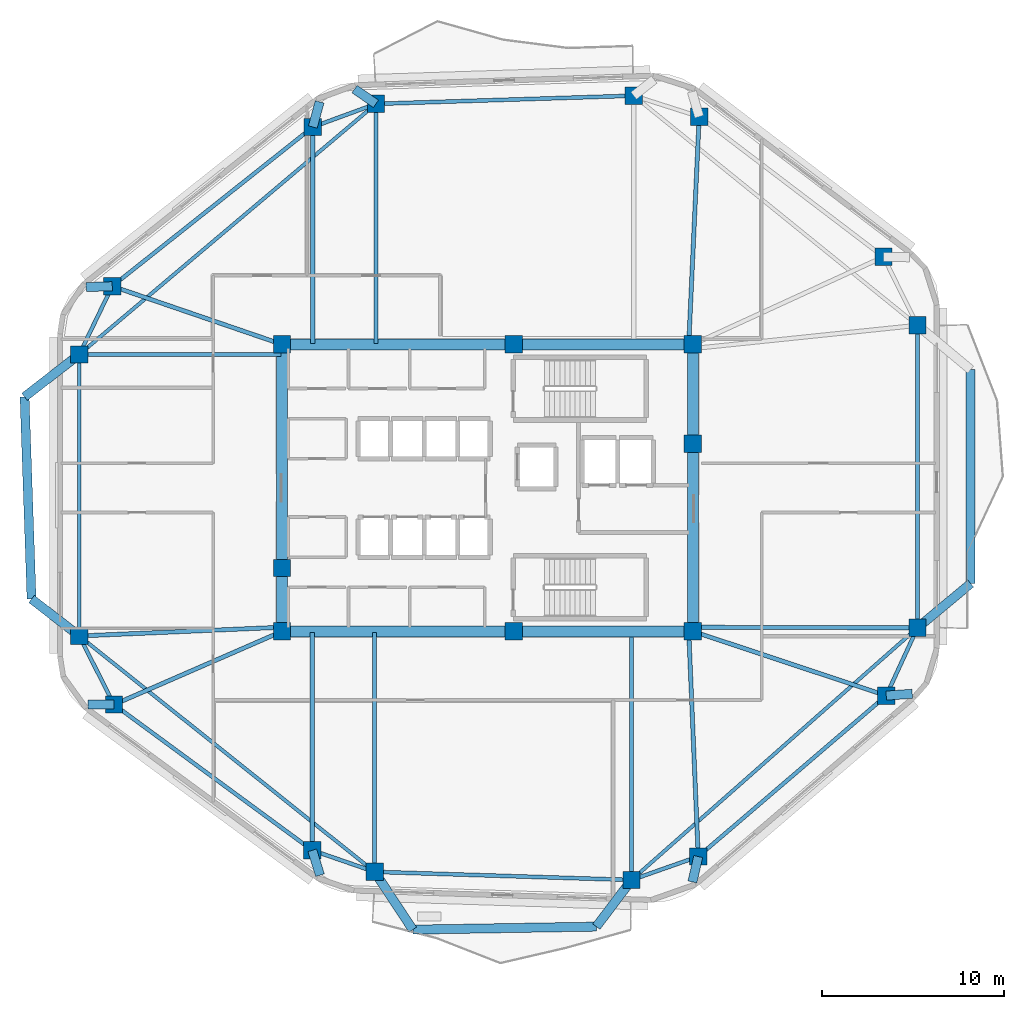
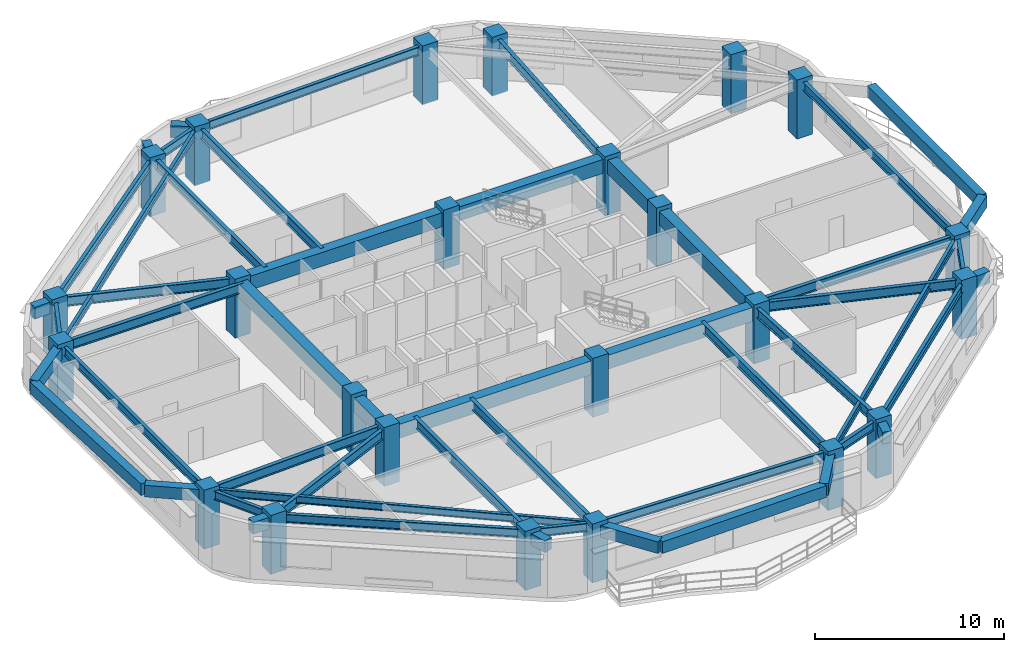
# One storey, part 1 of 8: 52 beams, 24 columns.
"""IFC4 building model written with IfcOpenShell, lengths in metres."""

from ifc_helpers import new_model, si_unit, direction, frame, origin, origin_2d, place, context, subcontext, project, spatial, rectangle, i_section, extrude, material, material_profile, profile_set, type_object, element, save


model = new_model("IFC4")

# Units and contexts
model_context = context("Model", 3, precision=1e-05, world=origin(), true_north=direction((0.0, 1.0)))
body_context = subcontext(model_context, "Body", "Model", "MODEL_VIEW")
ifc_project = project(units=[si_unit("LENGTHUNIT", "METRE"), si_unit("AREAUNIT", "SQUARE_METRE"), si_unit("VOLUMEUNIT", "CUBIC_METRE"), si_unit("PLANEANGLEUNIT", "RADIAN"), si_unit("MASSUNIT", "GRAM", prefix="KILO")], contexts=[model_context])

# Site, building, storey
site_placement = place(None, origin())
site = spatial("IfcSite", under=ifc_project, at=site_placement, CompositionType="ELEMENT")
building_placement = place(site_placement, origin())
building = spatial("IfcBuilding", under=site, at=building_placement, Name="Zulverin Broadcast Headquarters", CompositionType="ELEMENT")
storey_placement = place(building_placement, frame((0.0, 0.0, 166.800048828125)))
storey = spatial("IfcBuildingStorey", under=building, at=storey_placement, Name="L42", CompositionType="ELEMENT", Elevation=166.800048828125)

# Columns
ifc_material_1 = material(Name="Concrete C50/60", Category="concrete")
ifc_material_profile_1 = material_profile(ifc_material_1, rectangle(XDim=0.949951171875, YDim=0.949951171875, at=origin_2d()), Name="Concrete C50/60", Category="concrete")
ifc_profile_set_1 = profile_set([ifc_material_profile_1], Name="Concrete C50/60")
column_type_1 = type_object("IfcColumnType", Name="COL-RC-950", PredefinedType="COLUMN", material=ifc_profile_set_1)
for number, where, z_axis, x_axis, name in (
    (1, (30.80859375, 4.12744140625, 0.0), (0.0, 0.0, 1.0), (1.0, 0.0, 0.0), "L42 Perimeter Column T01"),
    (2, (44.909912109375, 3.68017578125, 0.0), (0.0, 0.0, 1.0), (1.0, 0.0, 0.0), "L42 Perimeter Column T02"),
    (3, (48.569580078125, 4.967041015625, 0.0), (0.0, 0.0, 1.0), (1.0, 0.0, 0.0), "L42 Perimeter Column T03"),
    (4, (58.886962890625, 13.798095703125, 0.0), (0.0, 0.0, 1.0), (1.0, 0.0, 0.0), "L42 Perimeter Column T04"),
    (5, (60.60009765625, 17.519287109375, 0.0), (0.0, 0.0, 1.0), (1.0, 0.0, 0.0), "L42 Perimeter Column T05"),
    (6, (60.60009765625, 34.12158203125, 0.0), (0.0, 0.0, 1.0), (1.0, 0.0, 0.0), "L42 Perimeter Column T06"),
    (7, (58.738037109375, 37.877685546875, 0.0), (0.0, 0.0, 1.0), (1.0, 0.0, 0.0), "L42 Perimeter Column T07"),
    (8, (48.62158203125, 45.574951171875, 0.0), (0.0, 0.0, 1.0), (1.0, 0.0, 0.0), "L42 Perimeter Column T08"),
    (9, (45.027587890625, 46.7236328125, 0.0), (0.0, 0.0, 1.0), (1.0, 0.0, 0.0), "L42 Perimeter Column T09"),
    (10, (30.882080078125, 46.27490234375, 0.0), (0.0, 0.0, 1.0), (1.0, 0.0, 0.0), "L42 Perimeter Column T10"),
    (11, (27.416259765625, 45.00439453125, 0.0), (0.0, 0.0, 1.0), (1.0, 0.0, 0.0), "L42 Perimeter Column T11"),
    (12, (16.40869140625, 36.26806640625, 0.0), (0.0, 0.0, 1.0), (1.0, 0.0, 0.0), "L42 Perimeter Column T12"),
    (13, (14.60009765625, 32.523193359375, 0.0), (0.0, 0.0, 1.0), (1.0, 0.0, 0.0), "L42 Perimeter Column T13"),
    (14, (14.60009765625, 17.072021484375, 0.0), (0.0, 0.0, 1.0), (1.0, 0.0, 0.0), "L42 Perimeter Column T14"),
    (15, (16.50537109375, 13.306884765625, 0.0), (0.0, 0.0, 1.0), (1.0, 0.0, 0.0), "L42 Perimeter Column T15"),
    (16, (27.38720703125, 5.309814453125, 0.0), (0.0, 0.0, 1.0), (1.0, 0.0, 0.0), "L42 Perimeter Column T16"),
):
    element("IfcColumn", number, at=place(storey_placement, frame(where, z_axis=z_axis, x_axis=x_axis)), inside=storey, type_object=column_type_1, Name=name, PredefinedType="COLUMN", context=body_context, shape_type="SweptSolid", body=[
        extrude(rectangle(XDim=0.949951171875, YDim=0.949951171875, at=origin_2d()), origin(), (0.0, 0.0, 1.0), 3.800048828125),
    ])
ifc_material_profile_2 = material_profile(ifc_material_1, rectangle(XDim=0.949951171875, YDim=0.949951171875, at=origin_2d()), Name="Concrete C50/60", Category="concrete")
ifc_profile_set_2 = profile_set([ifc_material_profile_2], Name="Concrete C50/60")
column_type_2 = type_object("IfcColumnType", Name="PIL-RC-950", PredefinedType="PILASTER", material=ifc_profile_set_2)
for number, where, z_axis, x_axis, name in (
    (17, (25.72509765625, 17.324951171875, 0.0), (0.0, 0.0, 1.0), (1.0, 0.0, 0.0), "L42 Core Pilaster K01"),
    (18, (38.449951171875, 17.324951171875, 0.0), (0.0, 0.0, 1.0), (1.0, 0.0, 0.0), "L42 Core Pilaster K02"),
    (19, (48.27490234375, 17.324951171875, 0.0), (0.0, 0.0, 1.0), (1.0, 0.0, 0.0), "L42 Core Pilaster K03"),
    (20, (48.27490234375, 27.6201171875, 0.0), (0.0, 0.0, 1.0), (1.0, 0.0, 0.0), "L42 Core Pilaster K04"),
    (21, (48.27490234375, 33.074951171875, 0.0), (0.0, 0.0, 1.0), (1.0, 0.0, 0.0), "L42 Core Pilaster K05"),
    (22, (38.449951171875, 33.074951171875, 0.0), (0.0, 0.0, 1.0), (1.0, 0.0, 0.0), "L42 Core Pilaster K06"),
    (23, (25.72509765625, 33.074951171875, 0.0), (0.0, 0.0, 1.0), (1.0, 0.0, 0.0), "L42 Core Pilaster K07"),
    (24, (25.72509765625, 20.800048828125, 0.0), (0.0, 0.0, 1.0), (1.0, 0.0, 0.0), "L42 Core Pilaster K08"),
):
    element("IfcColumn", number, at=place(storey_placement, frame(where, z_axis=z_axis, x_axis=x_axis)), inside=storey, type_object=column_type_2, Name=name, PredefinedType="PILASTER", context=body_context, shape_type="SweptSolid", body=[
        extrude(rectangle(XDim=0.949951171875, YDim=0.949951171875, at=origin_2d()), origin(), (0.0, 0.0, 1.0), 3.800048828125),
    ])

# Beams
ifc_material_2 = material(Name="Concrete C60/75", Category="concrete")
ifc_material_profile_3 = material_profile(ifc_material_2, rectangle(XDim=0.60009765625, YDim=0.89990234375, at=origin_2d()), Name="Concrete C60/75", Category="concrete")
ifc_profile_set_3 = profile_set([ifc_material_profile_3], Name="Concrete C60/75")
beam_type_1 = type_object("IfcBeamType", Name="BM-CB-600x900", PredefinedType="LINTEL", material=ifc_profile_set_3)
beam_1_placement = place(storey_placement, frame((25.72509765625, 17.324951171875, 3.08984375), z_axis=(1.0, 0.0, 0.0), x_axis=(0.0, 1.0, 0.0)))
element("IfcBeam", 25, at=beam_1_placement, inside=storey, type_object=beam_type_1, Name="L42 Core Coupling Girder K01-K02", PredefinedType="LINTEL", context=body_context, shape_type="SweptSolid", body=[
    extrude(rectangle(XDim=0.60009765625, YDim=0.89990234375, at=origin_2d()), origin(), (0.0, 0.0, 1.0), 12.724853515625),
])
beam_2_placement = place(storey_placement, frame((38.449951171875, 17.324951171875, 3.08984375), z_axis=(1.0, 0.0, 0.0), x_axis=(0.0, 1.0, 0.0)))
element("IfcBeam", 26, at=beam_2_placement, inside=storey, type_object=beam_type_1, Name="L42 Core Coupling Girder K02-K03", PredefinedType="LINTEL", context=body_context, shape_type="SweptSolid", body=[
    extrude(rectangle(XDim=0.60009765625, YDim=0.89990234375, at=origin_2d()), origin(), (0.0, 0.0, 1.0), 9.824951171875),
])
beam_3_placement = place(storey_placement, frame((48.27490234375, 17.324951171875, 3.08984375), z_axis=(0.0, 1.0, 0.0), x_axis=(-1.0, 0.0, 0.0)))
element("IfcBeam", 27, at=beam_3_placement, inside=storey, type_object=beam_type_1, Name="L42 Core Coupling Girder K03-K04", PredefinedType="LINTEL", context=body_context, shape_type="SweptSolid", body=[
    extrude(rectangle(XDim=0.60009765625, YDim=0.89990234375, at=origin_2d()), origin(), (0.0, 0.0, 1.0), 10.295166015625),
])
beam_4_placement = place(storey_placement, frame((48.27490234375, 27.6201171875, 3.08984375), z_axis=(0.0, 1.0, 0.0), x_axis=(-1.0, 0.0, 0.0)))
element("IfcBeam", 28, at=beam_4_placement, inside=storey, type_object=beam_type_1, Name="L42 Core Coupling Girder K04-K05", PredefinedType="LINTEL", context=body_context, shape_type="SweptSolid", body=[
    extrude(rectangle(XDim=0.60009765625, YDim=0.89990234375, at=origin_2d()), origin(), (0.0, 0.0, 1.0), 5.454833984375),
])
beam_5_placement = place(storey_placement, frame((48.27490234375, 33.074951171875, 3.08984375), z_axis=(-1.0, 0.0, 0.0), x_axis=(0.0, -1.0, 0.0)))
element("IfcBeam", 29, at=beam_5_placement, inside=storey, type_object=beam_type_1, Name="L42 Core Coupling Girder K05-K06", PredefinedType="LINTEL", context=body_context, shape_type="SweptSolid", body=[
    extrude(rectangle(XDim=0.60009765625, YDim=0.89990234375, at=origin_2d()), origin(), (0.0, 0.0, 1.0), 9.824951171875),
])
beam_6_placement = place(storey_placement, frame((38.449951171875, 33.074951171875, 3.08984375), z_axis=(-1.0, 0.0, 0.0), x_axis=(0.0, -1.0, 0.0)))
element("IfcBeam", 30, at=beam_6_placement, inside=storey, type_object=beam_type_1, Name="L42 Core Coupling Girder K06-K07", PredefinedType="LINTEL", context=body_context, shape_type="SweptSolid", body=[
    extrude(rectangle(XDim=0.60009765625, YDim=0.89990234375, at=origin_2d()), origin(), (0.0, 0.0, 1.0), 12.724853515625),
])
beam_7_placement = place(storey_placement, frame((25.72509765625, 33.074951171875, 3.08984375), z_axis=(0.0, -1.0, 0.0), x_axis=(1.0, 0.0, 0.0)))
element("IfcBeam", 31, at=beam_7_placement, inside=storey, type_object=beam_type_1, Name="L42 Core Coupling Girder K07-K08", PredefinedType="LINTEL", context=body_context, shape_type="SweptSolid", body=[
    extrude(rectangle(XDim=0.60009765625, YDim=0.89990234375, at=origin_2d()), origin(), (0.0, 0.0, 1.0), 12.27490234375),
])
beam_8_placement = place(storey_placement, frame((25.72509765625, 20.800048828125, 3.08984375), z_axis=(0.0, -1.0, 0.0), x_axis=(1.0, 0.0, 0.0)))
element("IfcBeam", 32, at=beam_8_placement, inside=storey, type_object=beam_type_1, Name="L42 Core Coupling Girder K08-K01", PredefinedType="LINTEL", context=body_context, shape_type="SweptSolid", body=[
    extrude(rectangle(XDim=0.60009765625, YDim=0.89990234375, at=origin_2d()), origin(), (0.0, 0.0, 1.0), 3.47509765625),
])
ifc_material_3 = material(Name="Concrete C40/50", Category="concrete")
ifc_material_profile_4 = material_profile(ifc_material_3, rectangle(XDim=0.5, YDim=0.75, at=origin_2d()), Name="Concrete C40/50", Category="concrete")
ifc_profile_set_4 = profile_set([ifc_material_profile_4], Name="Concrete C40/50")
beam_type_2 = type_object("IfcBeamType", Name="BM-RC-500x750", PredefinedType="BEAM", material=ifc_profile_set_4)
for number, where, z_axis, x_axis, name in (
    (33, (48.569580078125, 4.967041015625, 3.1650390625), (-0.224497908308, -0.974474570815, 0.0), (0.974474570815, -0.224497908308, 0.0), "L43 Plate Overhang Back-Spanned Beam OVR-03"),
    (34, (58.886962890625, 13.798095703125, 3.1650390625), (0.997450894981, 0.071356233801, 0.0), (-0.071356233801, 0.997450894981, 0.0), "L43 Plate Overhang Back-Spanned Beam OVR-04"),
):
    element("IfcBeam", number, at=place(storey_placement, frame(where, z_axis=z_axis, x_axis=x_axis)), inside=storey, type_object=beam_type_2, Name=name, PredefinedType="BEAM", context=body_context, shape_type="SweptSolid", body=[
        extrude(rectangle(XDim=0.5, YDim=0.75, at=origin_2d()), origin(), (0.0, 0.0, 1.0), 1.43017578125),
    ])
beam_9_placement = place(storey_placement, frame((30.882080078125, 46.27490234375, 3.1650390625), z_axis=(-0.822634506153, 0.568570549085, 0.0), x_axis=(-0.568570549085, -0.822634506153, 0.0)))
element("IfcBeam", 35, at=beam_9_placement, inside=storey, type_object=beam_type_2, Name="L43 Plate Overhang Back-Spanned Beam OVR-10", PredefinedType="BEAM", context=body_context, shape_type="SweptSolid", body=[
    extrude(rectangle(XDim=0.5, YDim=0.75, at=origin_2d()), origin(), (0.0, 0.0, 1.0), 1.429931640625),
])
beam_10_placement = place(storey_placement, frame((27.416259765625, 45.00439453125, 3.1650390625), z_axis=(0.260328526912, 0.965520097189, 0.0), x_axis=(-0.965520097189, 0.260328526912, 0.0)))
element("IfcBeam", 36, at=beam_10_placement, inside=storey, type_object=beam_type_2, Name="L43 Plate Overhang Back-Spanned Beam OVR-11", PredefinedType="BEAM", context=body_context, shape_type="SweptSolid", body=[
    extrude(rectangle(XDim=0.5, YDim=0.75, at=origin_2d()), origin(), (0.0, 0.0, 1.0), 1.43017578125),
])
for number, where, z_axis, x_axis, name in (
    (37, (16.40869140625, 36.26806640625, 3.1650390625), (-0.999411057508, -0.034315275463, 0.0), (0.034315275463, -0.999411057508, 0.0), "L43 Plate Overhang Back-Spanned Beam OVR-12"),
    (38, (16.50537109375, 13.306884765625, 3.1650390625), (-0.999996268726, -0.002731763753, 0.0), (0.002731763753, -0.999996268726, 0.0), "L43 Plate Overhang Back-Spanned Beam OVR-15"),
):
    element("IfcBeam", number, at=place(storey_placement, frame(where, z_axis=z_axis, x_axis=x_axis)), inside=storey, type_object=beam_type_2, Name=name, PredefinedType="BEAM", context=body_context, shape_type="SweptSolid", body=[
        extrude(rectangle(XDim=0.5, YDim=0.75, at=origin_2d()), origin(), (0.0, 0.0, 1.0), 1.429931640625),
    ])
beam_11_placement = place(storey_placement, frame((27.38720703125, 5.309814453125, 3.1650390625), z_axis=(0.296184429368, -0.955130767905, 0.0), x_axis=(0.955130767905, 0.296184429368, 0.0)))
element("IfcBeam", 39, at=beam_11_placement, inside=storey, type_object=beam_type_2, Name="L43 Plate Overhang Back-Spanned Beam OVR-16", PredefinedType="BEAM", context=body_context, shape_type="SweptSolid", body=[
    extrude(rectangle(XDim=0.5, YDim=0.75, at=origin_2d()), origin(), (0.0, 0.0, 1.0), 1.43017578125),
])
beam_12_placement = place(storey_placement, frame((60.60009765625, 17.519287109375, 3.1650390625), z_axis=(0.768400300007, 0.639969514078, 0.0), x_axis=(-0.639969514078, 0.768400300007, 0.0)))
element("IfcBeam", 40, at=beam_12_placement, inside=storey, type_object=beam_type_2, Name="L43 Balcony Column-Framed Cantilever BAL_E-1", PredefinedType="BEAM", context=body_context, shape_type="SweptSolid", body=[
    extrude(rectangle(XDim=0.5, YDim=0.75, at=origin_2d()), origin(), (0.0, 0.0, 1.0), 3.800048828125),
])
beam_13_placement = place(storey_placement, frame((63.52001953125, 19.951171875, 3.1650390625), z_axis=(0.0, 1.0, 0.0), x_axis=(-1.0, 0.0, 0.0)))
element("IfcBeam", 41, at=beam_13_placement, inside=storey, type_object=beam_type_2, Name="L43 Balcony Outer Edge Trimmer Beam BAL_E", PredefinedType="BEAM", context=body_context, shape_type="SweptSolid", body=[
    extrude(rectangle(XDim=0.5, YDim=0.75, at=origin_2d()), origin(), (0.0, 0.0, 1.0), 11.738525390625),
])
beam_14_placement = place(storey_placement, frame((30.80859375, 4.12744140625, 3.1650390625), z_axis=(0.550750010235, -0.834670249995, 0.0), x_axis=(0.834670249995, 0.550750010235, 0.0)))
element("IfcBeam", 42, at=beam_14_placement, inside=storey, type_object=beam_type_2, Name="L43 Balcony Column-Framed Cantilever BAL_S-1", PredefinedType="BEAM", context=body_context, shape_type="SweptSolid", body=[
    extrude(rectangle(XDim=0.5, YDim=0.75, at=origin_2d()), origin(), (0.0, 0.0, 1.0), 3.7998046875),
])
beam_15_placement = place(storey_placement, frame((44.909912109375, 3.68017578125, 3.1650390625), z_axis=(-0.602554193744, -0.798077968372, 0.0), x_axis=(0.798077968372, -0.602554193744, 0.0)))
element("IfcBeam", 43, at=beam_15_placement, inside=storey, type_object=beam_type_2, Name="L43 Balcony Column-Framed Cantilever BAL_S-2", PredefinedType="BEAM", context=body_context, shape_type="SweptSolid", body=[
    extrude(rectangle(XDim=0.5, YDim=0.75, at=origin_2d()), origin(), (0.0, 0.0, 1.0), 3.207763671875),
])
beam_16_placement = place(storey_placement, frame((32.9013671875, 0.955810546875, 3.1650390625), z_axis=(0.999867063394, 0.016305077142, 0.0), x_axis=(-0.016305077142, 0.999867063394, 0.0)))
element("IfcBeam", 44, at=beam_16_placement, inside=storey, type_object=beam_type_2, Name="L43 Balcony Outer Edge Trimmer Beam BAL_S", PredefinedType="BEAM", context=body_context, shape_type="SweptSolid", body=[
    extrude(rectangle(XDim=0.5, YDim=0.75, at=origin_2d()), origin(), (0.0, 0.0, 1.0), 10.076904296875),
])
beam_17_placement = place(storey_placement, frame((14.60009765625, 32.523193359375, 3.1650390625), z_axis=(-0.790637422513, -0.612284628356, 0.0), x_axis=(0.612284628356, -0.790637422513, 0.0)))
element("IfcBeam", 45, at=beam_17_placement, inside=storey, type_object=beam_type_2, Name="L43 Balcony Column-Framed Cantilever BAL_W-1", PredefinedType="BEAM", context=body_context, shape_type="SweptSolid", body=[
    extrude(rectangle(XDim=0.5, YDim=0.75, at=origin_2d()), origin(), (0.0, 0.0, 1.0), 3.800048828125),
])
beam_18_placement = place(storey_placement, frame((14.60009765625, 17.072021484375, 3.1650390625), z_axis=(-0.790675387677, 0.612235601155, 0.0), x_axis=(-0.612235601155, -0.790675387677, 0.0)))
element("IfcBeam", 46, at=beam_18_placement, inside=storey, type_object=beam_type_2, Name="L43 Balcony Column-Framed Cantilever BAL_W-2", PredefinedType="BEAM", context=body_context, shape_type="SweptSolid", body=[
    extrude(rectangle(XDim=0.5, YDim=0.75, at=origin_2d()), origin(), (0.0, 0.0, 1.0), 3.313720703125),
])
beam_19_placement = place(storey_placement, frame((11.595703125, 30.196533203125, 3.1650390625), z_axis=(0.034612235655, -0.999400817061, 0.0), x_axis=(0.999400817061, 0.034612235655, 0.0)))
element("IfcBeam", 47, at=beam_19_placement, inside=storey, type_object=beam_type_2, Name="L43 Balcony Outer Edge Trimmer Beam BAL_W", PredefinedType="BEAM", context=body_context, shape_type="SweptSolid", body=[
    extrude(rectangle(XDim=0.5, YDim=0.75, at=origin_2d()), origin(), (0.0, 0.0, 1.0), 11.102294921875),
])
ifc_material_4 = material(Name="Structural steel S355JR", Category="steel")
ifc_material_profile_5 = material_profile(ifc_material_4, i_section(OverallWidth=0.19287109375, OverallDepth=0.46728515625, WebThickness=0.011474609375, FlangeThickness=0.01953125, at=origin_2d()), Name="Structural steel S355JR", Category="steel")
ifc_profile_set_5 = profile_set([ifc_material_profile_5], Name="Structural steel S355JR")
beam_type_3 = type_object("IfcBeamType", Name="BM-UB-457", PredefinedType="JOIST", material=ifc_profile_set_5)
beam_20_placement = place(storey_placement, frame((44.909912109375, 3.68017578125, 3.306396484375), z_axis=(0.74996043981, 0.661482682102, 0.0), x_axis=(-0.661482682102, 0.74996043981, 0.0)))
element("IfcBeam", 48, at=beam_20_placement, inside=storey, type_object=beam_type_3, Name="L42 Chordal Floor Joist J-01", PredefinedType="JOIST", context=body_context, shape_type="SweptSolid", body=[
    extrude(i_section(OverallWidth=0.19287109375, OverallDepth=0.46728515625, WebThickness=0.011474609375, FlangeThickness=0.01953125, at=origin_2d()), origin(), (0.0, 0.0, 1.0), 20.92138671875),
])
beam_21_placement = place(storey_placement, frame((30.882080078125, 46.27490234375, 3.306396484375), z_axis=(-0.763972566446, -0.645248725468, 0.0), x_axis=(0.645248725468, -0.763972566446, 0.0)))
element("IfcBeam", 49, at=beam_21_placement, inside=storey, type_object=beam_type_3, Name="L42 Chordal Floor Joist J-03", PredefinedType="JOIST", context=body_context, shape_type="SweptSolid", body=[
    extrude(i_section(OverallWidth=0.19287109375, OverallDepth=0.46728515625, WebThickness=0.011474609375, FlangeThickness=0.01953125, at=origin_2d()), origin(), (0.0, 0.0, 1.0), 21.312255859375),
])
beam_22_placement = place(storey_placement, frame((14.60009765625, 17.072021484375, 3.306396484375), z_axis=(0.781390996609, -0.624041753746, 0.0), x_axis=(0.624041753746, 0.781390996609, 0.0)))
element("IfcBeam", 50, at=beam_22_placement, inside=storey, type_object=beam_type_3, Name="L42 Chordal Floor Joist J-04", PredefinedType="JOIST", context=body_context, shape_type="SweptSolid", body=[
    extrude(i_section(OverallWidth=0.19287109375, OverallDepth=0.46728515625, WebThickness=0.011474609375, FlangeThickness=0.01953125, at=origin_2d()), origin(), (0.0, 0.0, 1.0), 20.7431640625),
])
ifc_material_profile_6 = material_profile(ifc_material_4, i_section(OverallWidth=0.2119140625, OverallDepth=0.54443359375, WebThickness=0.0126953125, FlangeThickness=0.021240234375, at=origin_2d()), Name="Structural steel S355JR", Category="steel")
ifc_profile_set_6 = profile_set([ifc_material_profile_6], Name="Structural steel S355JR")
beam_type_4 = type_object("IfcBeamType", Name="BM-UB-533", PredefinedType="SPANDREL", material=ifc_profile_set_6)
beam_23_placement = place(storey_placement, frame((30.80859375, 4.12744140625, 3.267578125), z_axis=(0.999497363437, -0.031702058031, 0.0), x_axis=(0.031702058031, 0.999497363437, 0.0)))
element("IfcBeam", 51, at=beam_23_placement, inside=storey, type_object=beam_type_4, Name="L42 Perimeter Spandrel Beam SP-01", PredefinedType="SPANDREL", context=body_context, shape_type="SweptSolid", body=[
    extrude(i_section(OverallWidth=0.2119140625, OverallDepth=0.54443359375, WebThickness=0.0126953125, FlangeThickness=0.021240234375, at=origin_2d()), origin(), (0.0, 0.0, 1.0), 14.1083984375),
])
beam_24_placement = place(storey_placement, frame((44.909912109375, 3.68017578125, 3.267578125), z_axis=(0.943376593622, 0.331723684121, 0.0), x_axis=(-0.331723684121, 0.943376593622, 0.0)))
element("IfcBeam", 52, at=beam_24_placement, inside=storey, type_object=beam_type_4, Name="L42 Perimeter Spandrel Beam SP-02", PredefinedType="SPANDREL", context=body_context, shape_type="SweptSolid", body=[
    extrude(i_section(OverallWidth=0.2119140625, OverallDepth=0.54443359375, WebThickness=0.0126953125, FlangeThickness=0.021240234375, at=origin_2d()), origin(), (0.0, 0.0, 1.0), 3.87939453125),
])
beam_25_placement = place(storey_placement, frame((48.569580078125, 4.967041015625, 3.267578125), z_axis=(0.759708170965, 0.650264173217, 0.0), x_axis=(-0.650264173217, 0.759708170965, 0.0)))
element("IfcBeam", 53, at=beam_25_placement, inside=storey, type_object=beam_type_4, Name="L42 Perimeter Spandrel Beam SP-03", PredefinedType="SPANDREL", context=body_context, shape_type="SweptSolid", body=[
    extrude(i_section(OverallWidth=0.2119140625, OverallDepth=0.54443359375, WebThickness=0.0126953125, FlangeThickness=0.021240234375, at=origin_2d()), origin(), (0.0, 0.0, 1.0), 13.580810546875),
])
beam_26_placement = place(storey_placement, frame((58.886962890625, 13.798095703125, 3.267578125), z_axis=(0.418184975358, 0.90836189175, 0.0), x_axis=(-0.90836189175, 0.418184975358, 0.0)))
element("IfcBeam", 54, at=beam_26_placement, inside=storey, type_object=beam_type_4, Name="L42 Perimeter Spandrel Beam SP-04", PredefinedType="SPANDREL", context=body_context, shape_type="SweptSolid", body=[
    extrude(i_section(OverallWidth=0.2119140625, OverallDepth=0.54443359375, WebThickness=0.0126953125, FlangeThickness=0.021240234375, at=origin_2d()), origin(), (0.0, 0.0, 1.0), 4.0966796875),
])
beam_27_placement = place(storey_placement, frame((60.60009765625, 17.519287109375, 3.267578125), z_axis=(0.0, 1.0, 0.0), x_axis=(-1.0, 0.0, 0.0)))
element("IfcBeam", 55, at=beam_27_placement, inside=storey, type_object=beam_type_4, Name="L42 Perimeter Spandrel Beam SP-05", PredefinedType="SPANDREL", context=body_context, shape_type="SweptSolid", body=[
    extrude(i_section(OverallWidth=0.2119140625, OverallDepth=0.54443359375, WebThickness=0.0126953125, FlangeThickness=0.021240234375, at=origin_2d()), origin(), (0.0, 0.0, 1.0), 16.602294921875),
])
beam_28_placement = place(storey_placement, frame((45.027587890625, 46.7236328125, 3.267578125), z_axis=(-0.999497221833, -0.031706522156, 0.0), x_axis=(0.031706522156, -0.999497221833, 0.0)))
element("IfcBeam", 56, at=beam_28_placement, inside=storey, type_object=beam_type_4, Name="L42 Perimeter Spandrel Beam SP-09", PredefinedType="SPANDREL", context=body_context, shape_type="SweptSolid", body=[
    extrude(i_section(OverallWidth=0.2119140625, OverallDepth=0.54443359375, WebThickness=0.0126953125, FlangeThickness=0.021240234375, at=origin_2d()), origin(), (0.0, 0.0, 1.0), 14.152587890625),
])
beam_29_placement = place(storey_placement, frame((30.882080078125, 46.27490234375, 3.267578125), z_axis=(-0.938901965426, -0.344184687805, 0.0), x_axis=(0.344184687805, -0.938901965426, 0.0)))
element("IfcBeam", 57, at=beam_29_placement, inside=storey, type_object=beam_type_4, Name="L42 Perimeter Spandrel Beam SP-10", PredefinedType="SPANDREL", context=body_context, shape_type="SweptSolid", body=[
    extrude(i_section(OverallWidth=0.2119140625, OverallDepth=0.54443359375, WebThickness=0.0126953125, FlangeThickness=0.021240234375, at=origin_2d()), origin(), (0.0, 0.0, 1.0), 3.69140625),
])
beam_30_placement = place(storey_placement, frame((27.416259765625, 45.00439453125, 3.267578125), z_axis=(-0.783283263401, -0.621664965457, 0.0), x_axis=(0.621664965457, -0.783283263401, 0.0)))
element("IfcBeam", 58, at=beam_30_placement, inside=storey, type_object=beam_type_4, Name="L42 Perimeter Spandrel Beam SP-11", PredefinedType="SPANDREL", context=body_context, shape_type="SweptSolid", body=[
    extrude(i_section(OverallWidth=0.2119140625, OverallDepth=0.54443359375, WebThickness=0.0126953125, FlangeThickness=0.021240234375, at=origin_2d()), origin(), (0.0, 0.0, 1.0), 14.05322265625),
])
beam_31_placement = place(storey_placement, frame((16.40869140625, 36.26806640625, 3.267578125), z_axis=(-0.434890248034, -0.900483465792, 0.0), x_axis=(0.900483465792, -0.434890248034, 0.0)))
element("IfcBeam", 59, at=beam_31_placement, inside=storey, type_object=beam_type_4, Name="L42 Perimeter Spandrel Beam SP-12", PredefinedType="SPANDREL", context=body_context, shape_type="SweptSolid", body=[
    extrude(i_section(OverallWidth=0.2119140625, OverallDepth=0.54443359375, WebThickness=0.0126953125, FlangeThickness=0.021240234375, at=origin_2d()), origin(), (0.0, 0.0, 1.0), 4.15869140625),
])
beam_32_placement = place(storey_placement, frame((14.60009765625, 32.523193359375, 3.267578125), z_axis=(0.0, -1.0, 0.0), x_axis=(1.0, 0.0, 0.0)))
element("IfcBeam", 60, at=beam_32_placement, inside=storey, type_object=beam_type_4, Name="L42 Perimeter Spandrel Beam SP-13", PredefinedType="SPANDREL", context=body_context, shape_type="SweptSolid", body=[
    extrude(i_section(OverallWidth=0.2119140625, OverallDepth=0.54443359375, WebThickness=0.0126953125, FlangeThickness=0.021240234375, at=origin_2d()), origin(), (0.0, 0.0, 1.0), 15.451171875),
])
beam_33_placement = place(storey_placement, frame((14.60009765625, 17.072021484375, 3.267578125), z_axis=(0.451512947895, -0.892264567201, 0.0), x_axis=(0.892264567201, 0.451512947895, 0.0)))
element("IfcBeam", 61, at=beam_33_placement, inside=storey, type_object=beam_type_4, Name="L42 Perimeter Spandrel Beam SP-14", PredefinedType="SPANDREL", context=body_context, shape_type="SweptSolid", body=[
    extrude(i_section(OverallWidth=0.2119140625, OverallDepth=0.54443359375, WebThickness=0.0126953125, FlangeThickness=0.021240234375, at=origin_2d()), origin(), (0.0, 0.0, 1.0), 4.2197265625),
])
beam_34_placement = place(storey_placement, frame((16.50537109375, 13.306884765625, 3.267578125), z_axis=(0.805802234061, -0.592184734338, 0.0), x_axis=(0.592184734338, 0.805802234061, 0.0)))
element("IfcBeam", 62, at=beam_34_placement, inside=storey, type_object=beam_type_4, Name="L42 Perimeter Spandrel Beam SP-15", PredefinedType="SPANDREL", context=body_context, shape_type="SweptSolid", body=[
    extrude(i_section(OverallWidth=0.2119140625, OverallDepth=0.54443359375, WebThickness=0.0126953125, FlangeThickness=0.021240234375, at=origin_2d()), origin(), (0.0, 0.0, 1.0), 13.50439453125),
])
beam_35_placement = place(storey_placement, frame((27.38720703125, 5.309814453125, 3.267578125), z_axis=(0.945152732867, -0.326628705956, 0.0), x_axis=(0.326628705956, 0.945152732867, 0.0)))
element("IfcBeam", 63, at=beam_35_placement, inside=storey, type_object=beam_type_4, Name="L42 Perimeter Spandrel Beam SP-16", PredefinedType="SPANDREL", context=body_context, shape_type="SweptSolid", body=[
    extrude(i_section(OverallWidth=0.2119140625, OverallDepth=0.54443359375, WebThickness=0.0126953125, FlangeThickness=0.021240234375, at=origin_2d()), origin(), (0.0, 0.0, 1.0), 3.619873046875),
])
ifc_material_profile_7 = material_profile(ifc_material_4, i_section(OverallWidth=0.230224609375, OverallDepth=0.6171875, WebThickness=0.01318359375, FlangeThickness=0.022216796875, at=origin_2d()), Name="Structural steel S355JR", Category="steel")
ifc_profile_set_7 = profile_set([ifc_material_profile_7], Name="Structural steel S355JR")
beam_type_5 = type_object("IfcBeamType", Name="BM-UB-610", PredefinedType="BEAM", material=ifc_profile_set_7)
beam_36_placement = place(storey_placement, frame((30.80859375, 17.27490234375, 3.2314453125), z_axis=(0.0, -1.0, 0.0), x_axis=(1.0, 0.0, 0.0)))
element("IfcBeam", 64, at=beam_36_placement, inside=storey, type_object=beam_type_5, Name="L42 Radial Primary Floor Beam RB-01", PredefinedType="BEAM", context=body_context, shape_type="SweptSolid", body=[
    extrude(i_section(OverallWidth=0.230224609375, OverallDepth=0.6171875, WebThickness=0.01318359375, FlangeThickness=0.022216796875, at=origin_2d()), origin(), (0.0, 0.0, 1.0), 13.1474609375),
])
beam_37_placement = place(storey_placement, frame((44.909912109375, 17.27490234375, 3.2314453125), z_axis=(0.0, -1.0, 0.0), x_axis=(1.0, 0.0, 0.0)))
element("IfcBeam", 65, at=beam_37_placement, inside=storey, type_object=beam_type_5, Name="L42 Radial Primary Floor Beam RB-02", PredefinedType="BEAM", context=body_context, shape_type="SweptSolid", body=[
    extrude(i_section(OverallWidth=0.230224609375, OverallDepth=0.6171875, WebThickness=0.01318359375, FlangeThickness=0.022216796875, at=origin_2d()), origin(), (0.0, 0.0, 1.0), 13.5947265625),
])
beam_38_placement = place(storey_placement, frame((48.050048828125, 17.27490234375, 3.2314453125), z_axis=(0.042173778549, -0.99911029041, 0.0), x_axis=(0.99911029041, 0.042173778549, 0.0)))
element("IfcBeam", 66, at=beam_38_placement, inside=storey, type_object=beam_type_5, Name="L42 Radial Primary Floor Beam RB-03", PredefinedType="BEAM", context=body_context, shape_type="SweptSolid", body=[
    extrude(i_section(OverallWidth=0.230224609375, OverallDepth=0.6171875, WebThickness=0.01318359375, FlangeThickness=0.022216796875, at=origin_2d()), origin(), (0.0, 0.0, 1.0), 12.31884765625),
])
beam_39_placement = place(storey_placement, frame((48.27490234375, 17.324951171875, 3.2314453125), z_axis=(0.948964552547, -0.315382748432, 0.0), x_axis=(0.315382748432, 0.948964552547, 0.0)))
element("IfcBeam", 67, at=beam_39_placement, inside=storey, type_object=beam_type_5, Name="L42 Radial Primary Floor Beam RB-04", PredefinedType="BEAM", context=body_context, shape_type="SweptSolid", body=[
    extrude(i_section(OverallWidth=0.230224609375, OverallDepth=0.6171875, WebThickness=0.01318359375, FlangeThickness=0.022216796875, at=origin_2d()), origin(), (0.0, 0.0, 1.0), 11.182861328125),
])
beam_40_placement = place(storey_placement, frame((48.324951171875, 17.550048828125, 3.2314453125), z_axis=(0.999996859956, -0.002506008559, 0.0), x_axis=(0.002506008559, 0.999996859956, 0.0)))
element("IfcBeam", 68, at=beam_40_placement, inside=storey, type_object=beam_type_5, Name="L42 Radial Primary Floor Beam RB-05", PredefinedType="BEAM", context=body_context, shape_type="SweptSolid", body=[
    extrude(i_section(OverallWidth=0.230224609375, OverallDepth=0.6171875, WebThickness=0.01318359375, FlangeThickness=0.022216796875, at=origin_2d()), origin(), (0.0, 0.0, 1.0), 12.275146484375),
])
beam_41_placement = place(storey_placement, frame((48.050048828125, 33.125, 3.2314453125), z_axis=(0.045858166026, 0.998947960911, 0.0), x_axis=(-0.998947960911, 0.045858166026, 0.0)))
element("IfcBeam", 69, at=beam_41_placement, inside=storey, type_object=beam_type_5, Name="L42 Radial Primary Floor Beam RB-08", PredefinedType="BEAM", context=body_context, shape_type="SweptSolid", body=[
    extrude(i_section(OverallWidth=0.230224609375, OverallDepth=0.6171875, WebThickness=0.01318359375, FlangeThickness=0.022216796875, at=origin_2d()), origin(), (0.0, 0.0, 1.0), 12.463134765625),
])
beam_42_placement = place(storey_placement, frame((30.882080078125, 33.125, 3.2314453125), z_axis=(0.0, 1.0, 0.0), x_axis=(-1.0, 0.0, 0.0)))
element("IfcBeam", 70, at=beam_42_placement, inside=storey, type_object=beam_type_5, Name="L42 Radial Primary Floor Beam RB-10", PredefinedType="BEAM", context=body_context, shape_type="SweptSolid", body=[
    extrude(i_section(OverallWidth=0.230224609375, OverallDepth=0.6171875, WebThickness=0.01318359375, FlangeThickness=0.022216796875, at=origin_2d()), origin(), (0.0, 0.0, 1.0), 13.14990234375),
])
beam_43_placement = place(storey_placement, frame((27.416259765625, 33.125, 3.2314453125), z_axis=(0.0, 1.0, 0.0), x_axis=(-1.0, 0.0, 0.0)))
element("IfcBeam", 71, at=beam_43_placement, inside=storey, type_object=beam_type_5, Name="L42 Radial Primary Floor Beam RB-11", PredefinedType="BEAM", context=body_context, shape_type="SweptSolid", body=[
    extrude(i_section(OverallWidth=0.230224609375, OverallDepth=0.6171875, WebThickness=0.01318359375, FlangeThickness=0.022216796875, at=origin_2d()), origin(), (0.0, 0.0, 1.0), 11.87939453125),
])
beam_44_placement = place(storey_placement, frame((25.72509765625, 33.074951171875, 3.2314453125), z_axis=(-0.945979621685, 0.324226086793, 0.0), x_axis=(-0.324226086793, -0.945979621685, 0.0)))
element("IfcBeam", 72, at=beam_44_placement, inside=storey, type_object=beam_type_5, Name="L42 Radial Primary Floor Beam RB-12", PredefinedType="BEAM", context=body_context, shape_type="SweptSolid", body=[
    extrude(i_section(OverallWidth=0.230224609375, OverallDepth=0.6171875, WebThickness=0.01318359375, FlangeThickness=0.022216796875, at=origin_2d()), origin(), (0.0, 0.0, 1.0), 9.848388671875),
])
beam_45_placement = place(storey_placement, frame((25.675048828125, 32.523193359375, 3.2314453125), z_axis=(-1.0, 0.0, 0.0), x_axis=(0.0, -1.0, 0.0)))
element("IfcBeam", 73, at=beam_45_placement, inside=storey, type_object=beam_type_5, Name="L42 Radial Primary Floor Beam RB-13", PredefinedType="BEAM", context=body_context, shape_type="SweptSolid", body=[
    extrude(i_section(OverallWidth=0.230224609375, OverallDepth=0.6171875, WebThickness=0.01318359375, FlangeThickness=0.022216796875, at=origin_2d()), origin(), (0.0, 0.0, 1.0), 11.074951171875),
])
beam_46_placement = place(storey_placement, frame((25.675048828125, 17.550048828125, 3.2314453125), z_axis=(-0.999069780306, -0.043122779134, 0.0), x_axis=(0.043122779134, -0.999069780306, 0.0)))
element("IfcBeam", 74, at=beam_46_placement, inside=storey, type_object=beam_type_5, Name="L42 Radial Primary Floor Beam RB-14", PredefinedType="BEAM", context=body_context, shape_type="SweptSolid", body=[
    extrude(i_section(OverallWidth=0.230224609375, OverallDepth=0.6171875, WebThickness=0.01318359375, FlangeThickness=0.022216796875, at=origin_2d()), origin(), (0.0, 0.0, 1.0), 11.085205078125),
])
beam_47_placement = place(storey_placement, frame((25.72509765625, 17.324951171875, 3.2314453125), z_axis=(-0.916724690104, -0.39951951461, 0.0), x_axis=(0.39951951461, -0.916724690104, 0.0)))
element("IfcBeam", 75, at=beam_47_placement, inside=storey, type_object=beam_type_5, Name="L42 Radial Primary Floor Beam RB-15", PredefinedType="BEAM", context=body_context, shape_type="SweptSolid", body=[
    extrude(i_section(OverallWidth=0.230224609375, OverallDepth=0.6171875, WebThickness=0.01318359375, FlangeThickness=0.022216796875, at=origin_2d()), origin(), (0.0, 0.0, 1.0), 10.05712890625),
])
beam_48_placement = place(storey_placement, frame((27.38720703125, 17.27490234375, 3.2314453125), z_axis=(0.0, -1.0, 0.0), x_axis=(1.0, 0.0, 0.0)))
element("IfcBeam", 76, at=beam_48_placement, inside=storey, type_object=beam_type_5, Name="L42 Radial Primary Floor Beam RB-16", PredefinedType="BEAM", context=body_context, shape_type="SweptSolid", body=[
    extrude(i_section(OverallWidth=0.230224609375, OverallDepth=0.6171875, WebThickness=0.01318359375, FlangeThickness=0.022216796875, at=origin_2d()), origin(), (0.0, 0.0, 1.0), 11.965087890625),
])

save(model, "model.ifc")
